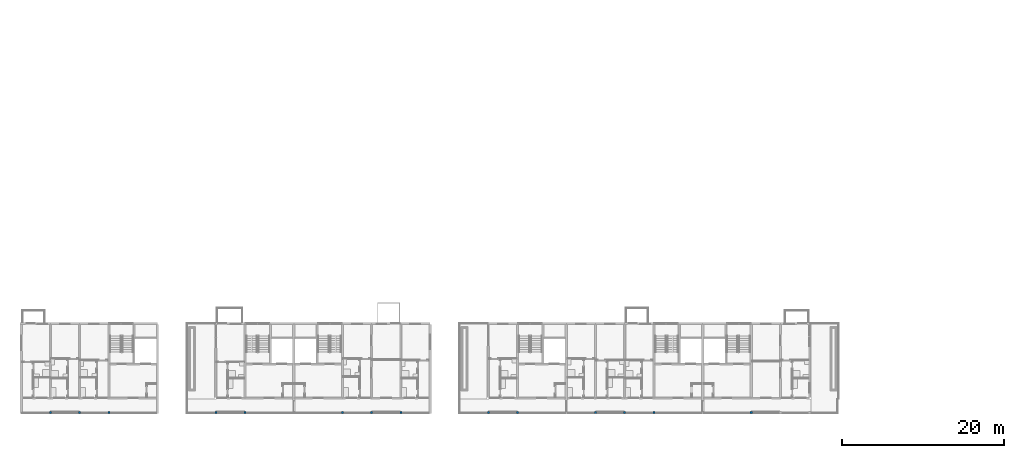
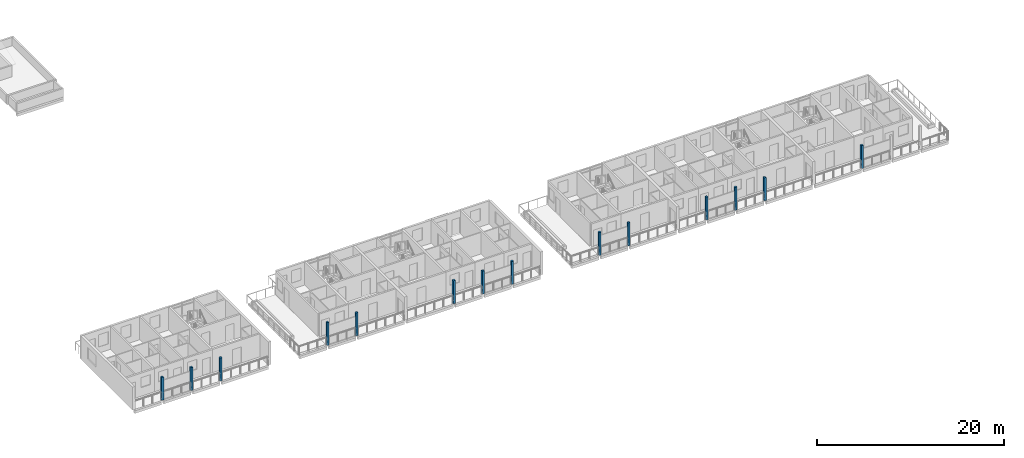
# One storey, part 1 of 64: 14 columns.
"""IFC4 building model written with IfcOpenShell, lengths in metres."""

from ifc_helpers import new_model, si_unit, direction, frame, origin, origin_2d, place, context, subcontext, project, spatial, rectangle, extrude, material, material_profile, profile_set, type_object, element, save


model = new_model("IFC4")

# Units and contexts
model_context = context("Model", 3, precision=1e-05, world=origin(), true_north=direction((0.0, 1.0)))
body_context = subcontext(model_context, "Body", "Model", "MODEL_VIEW")
ifc_project = project(units=[si_unit("LENGTHUNIT", "METRE"), si_unit("AREAUNIT", "SQUARE_METRE"), si_unit("VOLUMEUNIT", "CUBIC_METRE"), si_unit("PLANEANGLEUNIT", "RADIAN"), si_unit("MASSUNIT", "GRAM", prefix="KILO")], contexts=[model_context])

# Site, building, storey
site_placement = place(None, origin())
site = spatial("IfcSite", under=ifc_project, at=site_placement, CompositionType="ELEMENT")
building_placement = place(site_placement, origin())
building = spatial("IfcBuilding", under=site, at=building_placement, Name="Ridgestep Commons", CompositionType="ELEMENT")
storey_placement = place(building_placement, frame((0.0, 0.0, 33.0)))
storey = spatial("IfcBuildingStorey", under=building, at=storey_placement, Name="L11", CompositionType="ELEMENT", Elevation=33.0)

# Columns
ifc_material = material(Name="Precast concrete C40/50", Category="concrete")
ifc_material_profile = material_profile(ifc_material, rectangle(XDim=0.25, YDim=0.25, at=origin_2d()), Name="PC 250x250")
ifc_profile_set = profile_set([ifc_material_profile], Name="Precast concrete C40/50")
column_type = type_object("IfcColumnType", Name="Loggia column 250 x 250", PredefinedType="COLUMN", material=ifc_profile_set)
for number, where, z_axis, x_axis, name in (
    (1, (15.60009765625, 11.875, 0.0), (0.0, 0.0, 1.0), (1.0, 0.0, 0.0), "Loggia column A L11"),
    (2, (19.199951171875, 11.875, 0.0), (0.0, 0.0, 1.0), (1.0, 0.0, 0.0), "Loggia column A L11"),
    (3, (22.800048828125, 11.875, 0.0), (0.0, 0.0, 1.0), (1.0, 0.0, 0.0), "Loggia column A L11"),
    (4, (36.0, 11.875, 0.0), (0.0, 0.0, 1.0), (1.0, 0.0, 0.0), "Loggia column A L11"),
    (5, (39.60009765625, 11.875, 0.0), (0.0, 0.0, 1.0), (1.0, 0.0, 0.0), "Loggia column A L11"),
    (6, (51.60009765625, 11.875, 0.0), (0.0, 0.0, 1.0), (1.0, 0.0, 0.0), "Loggia column A L11"),
    (7, (55.199951171875, 11.875, 0.0), (0.0, 0.0, 1.0), (1.0, 0.0, 0.0), "Loggia column A L11"),
    (8, (58.800048828125, 11.875, 0.0), (0.0, 0.0, 1.0), (1.0, 0.0, 0.0), "Loggia column A L11"),
    (9, (69.60009765625, 11.875, 0.0), (0.0, 0.0, 1.0), (1.0, 0.0, 0.0), "Loggia column A L11"),
    (10, (73.199951171875, 11.875, 0.0), (0.0, 0.0, 1.0), (1.0, 0.0, 0.0), "Loggia column A L11"),
    (11, (82.800048828125, 11.875, 0.0), (0.0, 0.0, 1.0), (1.0, 0.0, 0.0), "Loggia column A L11"),
    (12, (86.39990234375, 11.875, 0.0), (0.0, 0.0, 1.0), (1.0, 0.0, 0.0), "Loggia column A L11"),
    (13, (90.0, 11.875, 0.0), (0.0, 0.0, 1.0), (1.0, 0.0, 0.0), "Loggia column A L11"),
    (14, (102.0, 11.875, 0.0), (0.0, 0.0, 1.0), (1.0, 0.0, 0.0), "Loggia column A L11"),
):
    element("IfcColumn", number, at=place(storey_placement, frame(where, z_axis=z_axis, x_axis=x_axis)), inside=storey, type_object=column_type, Name=name, PredefinedType="COLUMN", context=body_context, shape_type="SweptSolid", body=[
        extrude(rectangle(XDim=0.25, YDim=0.25, at=origin_2d()), origin(), (0.0, 0.0, 1.0), 3.0),
    ])

save(model, "model.ifc")
